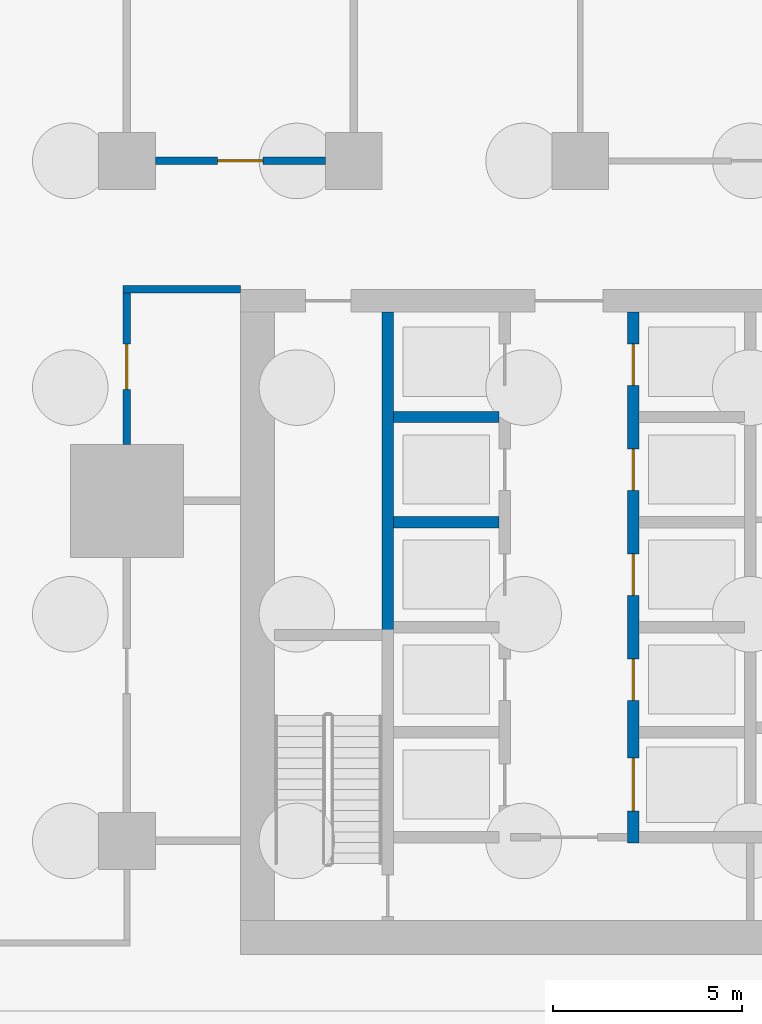
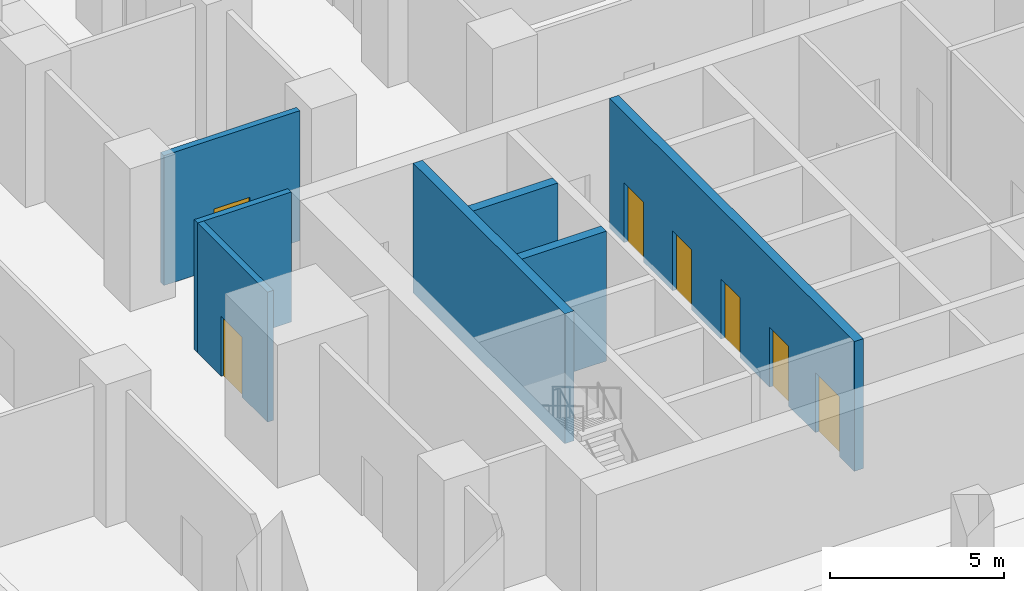
# One storey, part 4 of 12: 7 doors, 7 walls, 7 openings.
"""IFC4 building model written with IfcOpenShell, lengths in metres."""

from ifc_helpers import new_model, si_unit, direction, frame, frame_2d, origin, place, context, subcontext, project, spatial, rectangle, extrude, material, layer, layer_set, type_object, element, fill, save


model = new_model("IFC4")

# Units and contexts
model_context = context("Model", 3, precision=1e-05, world=origin(), true_north=direction((0.0, 1.0)))
body_context = subcontext(model_context, "Body", "Model", "MODEL_VIEW")
ifc_project = project(units=[si_unit("LENGTHUNIT", "METRE"), si_unit("AREAUNIT", "SQUARE_METRE"), si_unit("VOLUMEUNIT", "CUBIC_METRE"), si_unit("PLANEANGLEUNIT", "RADIAN"), si_unit("MASSUNIT", "GRAM", prefix="KILO")], contexts=[model_context])

# Site, building, storey
site_placement = place(None, origin())
site = spatial("IfcSite", under=ifc_project, at=site_placement, CompositionType="ELEMENT")
building_placement = place(site_placement, origin())
building = spatial("IfcBuilding", under=site, at=building_placement, Name="Finial Court Residences", CompositionType="ELEMENT")
storey_placement = place(building_placement, frame((0.0, 0.0, -5.0)))
storey = spatial("IfcBuildingStorey", under=building, at=storey_placement, Name="B1", CompositionType="ELEMENT", Elevation=-5.0)

# Walls
ifc_material_1 = material(Name="Concrete C80/95", Category="concrete")
ifc_layer_1 = layer(ifc_material_1, 0.300048828125)
ifc_layer_set_1 = layer_set([ifc_layer_1], Name="Lift shaft and stair wall 300 Concrete C80/95")
wall_type_1 = type_object("IfcWallType", Name="Lift shaft and stair wall 300 Concrete C80/95", PredefinedType="SHEAR", material=ifc_layer_set_1)
for number, where, z_axis, x_axis, name in (
    (1, (-9.449951171875, -14.06005859375, 0.0), (0.0, 0.0, 1.0), (1.0, 0.0, 0.0), "Core wall B1-15"),
    (2, (-9.449951171875, -11.280029296875, 0.0), (0.0, 0.0, 1.0), (1.0, 0.0, 0.0), "Core wall B1-18"),
):
    element("IfcWall", number, at=place(storey_placement, frame(where, z_axis=z_axis, x_axis=x_axis)), inside=storey, type_object=wall_type_1, Name=name, PredefinedType="SHEAR", context=body_context, shape_type="SweptSolid", body=[
        extrude(rectangle(XDim=2.800048828125, YDim=0.300048828125, at=frame_2d((1.39990234375, 0.0))), origin(), (0.0, 0.0, 1.0), 4.550048828125),
    ])
wall_1_placement = place(storey_placement, frame((-9.60009765625, -17.199951171875, 0.0), z_axis=(0.0, 0.0, 1.0), x_axis=(0.0, 1.0, 0.0)))
element("IfcWall", 3, at=wall_1_placement, inside=storey, type_object=wall_type_1, Name="Core wall B1-22", PredefinedType="SHEAR", context=body_context, shape_type="SweptSolid", body=[
    extrude(rectangle(XDim=8.699951171875, YDim=0.300048828125, at=frame_2d((4.35009765625, 0.0))), origin(), (0.0, 0.0, 1.0), 4.550048828125),
])

# Wall, openings, doors
wall_2_placement = place(storey_placement, frame((-3.10009765625, -22.550048828125, 0.0), z_axis=(0.0, 0.0, 1.0), x_axis=(0.0, 1.0, 0.0)))
wall_2 = element("IfcWall", 4, at=wall_2_placement, inside=storey, type_object=wall_type_1, Name="Core wall B1-24", PredefinedType="SHEAR", context=body_context, shape_type="SweptSolid", body=[
    extrude(rectangle(XDim=14.050048828125, YDim=0.300048828125, at=frame_2d((7.02490234375, 0.0))), origin(), (0.0, 0.0, 1.0), 4.550048828125),
])
opening_1_placement = place(wall_2_placement, frame((12.110107421875, 0.0, 0.0)))
opening_1 = element("IfcOpeningElement", 5, at=opening_1_placement, cuts=wall_2, Name="Opening B1-LD08", PredefinedType="OPENING", context=body_context, shape_type="SweptSolid", body=[
    extrude(rectangle(XDim=1.10009765625, YDim=2.10009765625, at=frame_2d((0.550048828125, 1.050048828125))), frame((0.0, 0.159912109375, 0.0), z_axis=(0.0, -1.0, 0.0), x_axis=(1.0, 0.0, 0.0)), (0.0, 0.0, 1.0), 0.320068359375),
])
opening_2_placement = place(wall_2_placement, frame((3.77001953125, 0.0, 0.0)))
opening_2 = element("IfcOpeningElement", 6, at=opening_2_placement, cuts=wall_2, Name="Opening B1-LD09", PredefinedType="OPENING", context=body_context, shape_type="SweptSolid", body=[
    extrude(rectangle(XDim=1.10009765625, YDim=2.10009765625, at=frame_2d((0.550048828125, 1.050048828125))), frame((0.0, 0.159912109375, 0.0), z_axis=(0.0, -1.0, 0.0), x_axis=(1.0, 0.0, 0.0)), (0.0, 0.0, 1.0), 0.320068359375),
])
opening_3_placement = place(wall_2_placement, frame((6.550048828125, 0.0, 0.0)))
opening_3 = element("IfcOpeningElement", 7, at=opening_3_placement, cuts=wall_2, Name="Opening B1-LD10", PredefinedType="OPENING", context=body_context, shape_type="SweptSolid", body=[
    extrude(rectangle(XDim=1.10009765625, YDim=2.10009765625, at=frame_2d((0.550048828125, 1.050048828125))), frame((0.0, 0.159912109375, 0.0), z_axis=(0.0, -1.0, 0.0), x_axis=(1.0, 0.0, 0.0)), (0.0, 0.0, 1.0), 0.320068359375),
])
opening_4_placement = place(wall_2_placement, frame((9.330078125, 0.0, 0.0)))
opening_4 = element("IfcOpeningElement", 8, at=opening_4_placement, cuts=wall_2, Name="Opening B1-LD11", PredefinedType="OPENING", context=body_context, shape_type="SweptSolid", body=[
    extrude(rectangle(XDim=1.10009765625, YDim=2.10009765625, at=frame_2d((0.550048828125, 1.050048828125))), frame((0.0, 0.159912109375, 0.0), z_axis=(0.0, -1.0, 0.0), x_axis=(1.0, 0.0, 0.0)), (0.0, 0.0, 1.0), 0.320068359375),
])
opening_5_placement = place(wall_2_placement, frame((0.840087890625, 0.0, 0.0)))
opening_5 = element("IfcOpeningElement", 9, at=opening_5_placement, cuts=wall_2, Name="Opening B1-LD12", PredefinedType="OPENING", context=body_context, shape_type="SweptSolid", body=[
    extrude(rectangle(XDim=1.39990234375, YDim=2.10009765625, at=frame_2d((0.699951171875, 1.050048828125))), frame((0.0, 0.159912109375, 0.0), z_axis=(0.0, -1.0, 0.0), x_axis=(1.0, 0.0, 0.0)), (0.0, 0.0, 1.0), 0.320068359375),
])
ifc_material_2 = material(Name="Stainless steel lift door", Category="steel")
door_type_1 = type_object("IfcDoorType", Name="Lift landing door 1100 x 2100 EI 90", OperationType="DOUBLE_DOOR_SLIDING", PredefinedType="DOOR", material=ifc_material_2)
door_1_placement = place(opening_1_placement, origin())
door_1 = element("IfcDoor", 10, at=door_1_placement, inside=storey, type_object=door_type_1, Name="Lift landing door LR6 B1", OperationType="DOUBLE_DOOR_SLIDING", OverallHeight=2.10009765625, OverallWidth=1.10009765625, PredefinedType="DOOR", context=body_context, shape_type="SweptSolid", body=[
    extrude(rectangle(XDim=1.10009765625, YDim=2.10009765625, at=frame_2d((0.550048828125, 1.050048828125))), frame((0.0, 0.02490234375, 0.0), z_axis=(0.0, -1.0, 0.0), x_axis=(1.0, 0.0, 0.0)), (0.0, 0.0, 1.0), 0.050048828125),
])
fill(opening_1, door_1)
door_2_placement = place(opening_2_placement, origin())
door_2 = element("IfcDoor", 11, at=door_2_placement, inside=storey, type_object=door_type_1, Name="Lift landing door SH1 B1", OperationType="DOUBLE_DOOR_SLIDING", OverallHeight=2.10009765625, OverallWidth=1.10009765625, PredefinedType="DOOR", context=body_context, shape_type="SweptSolid", body=[
    extrude(rectangle(XDim=1.10009765625, YDim=2.10009765625, at=frame_2d((0.550048828125, 1.050048828125))), frame((0.0, 0.02490234375, 0.0), z_axis=(0.0, -1.0, 0.0), x_axis=(1.0, 0.0, 0.0)), (0.0, 0.0, 1.0), 0.050048828125),
])
fill(opening_2, door_2)
door_3_placement = place(opening_3_placement, origin())
door_3 = element("IfcDoor", 12, at=door_3_placement, inside=storey, type_object=door_type_1, Name="Lift landing door SH2 B1", OperationType="DOUBLE_DOOR_SLIDING", OverallHeight=2.10009765625, OverallWidth=1.10009765625, PredefinedType="DOOR", context=body_context, shape_type="SweptSolid", body=[
    extrude(rectangle(XDim=1.10009765625, YDim=2.10009765625, at=frame_2d((0.550048828125, 1.050048828125))), frame((0.0, 0.02490234375, 0.0), z_axis=(0.0, -1.0, 0.0), x_axis=(1.0, 0.0, 0.0)), (0.0, 0.0, 1.0), 0.050048828125),
])
fill(opening_3, door_3)
door_4_placement = place(opening_4_placement, origin())
door_4 = element("IfcDoor", 13, at=door_4_placement, inside=storey, type_object=door_type_1, Name="Lift landing door SH3 B1", OperationType="DOUBLE_DOOR_SLIDING", OverallHeight=2.10009765625, OverallWidth=1.10009765625, PredefinedType="DOOR", context=body_context, shape_type="SweptSolid", body=[
    extrude(rectangle(XDim=1.10009765625, YDim=2.10009765625, at=frame_2d((0.550048828125, 1.050048828125))), frame((0.0, 0.02490234375, 0.0), z_axis=(0.0, -1.0, 0.0), x_axis=(1.0, 0.0, 0.0)), (0.0, 0.0, 1.0), 0.050048828125),
])
fill(opening_4, door_4)
door_type_2 = type_object("IfcDoorType", Name="Lift landing door 1400 x 2100 EI 90", OperationType="DOUBLE_DOOR_SLIDING", PredefinedType="DOOR", material=ifc_material_2)
door_5_placement = place(opening_5_placement, origin())
door_5 = element("IfcDoor", 14, at=door_5_placement, inside=storey, type_object=door_type_2, Name="Lift landing door SV1 B1", OperationType="DOUBLE_DOOR_SLIDING", OverallHeight=2.10009765625, OverallWidth=1.39990234375, PredefinedType="DOOR", context=body_context, shape_type="SweptSolid", body=[
    extrude(rectangle(XDim=1.39990234375, YDim=2.10009765625, at=frame_2d((0.699951171875, 1.050048828125))), frame((0.0, 0.02490234375, 0.0), z_axis=(0.0, -1.0, 0.0), x_axis=(1.0, 0.0, 0.0)), (0.0, 0.0, 1.0), 0.050048828125),
])
fill(opening_5, door_5)

# Wall
ifc_material_3 = material(Name="Concrete C32/40", Category="concrete")
ifc_layer_2 = layer(ifc_material_3, 0.199951171875)
ifc_layer_set_2 = layer_set([ifc_layer_2], Name="Plant room wall 200 Concrete C32/40")
wall_type_2 = type_object("IfcWallType", Name="Plant room wall 200 Concrete C32/40", PredefinedType="SOLIDWALL", material=ifc_layer_set_2)
wall_3_placement = place(storey_placement, frame((-16.60009765625, -7.89990234375, 0.0), z_axis=(0.0, 0.0, 1.0), x_axis=(1.0, 0.0, 0.0)))
element("IfcWall", 15, at=wall_3_placement, inside=storey, type_object=wall_type_2, Name="Plant room wall B1-V009", PredefinedType="SOLIDWALL", context=body_context, shape_type="SweptSolid", body=[
    extrude(rectangle(XDim=3.10009765625, YDim=0.199951171875, at=frame_2d((1.550048828125, 0.0))), origin(), (0.0, 0.0, 1.0), 4.550048828125),
])

# Wall, opening, door
wall_4_placement = place(storey_placement, frame((-11.25, -4.5, 0.0), z_axis=(0.0, 0.0, 1.0), x_axis=(-1.0, 0.0, 0.0)))
wall_4 = element("IfcWall", 16, at=wall_4_placement, inside=storey, type_object=wall_type_2, Name="Plant room wall B1-V012", PredefinedType="SOLIDWALL", context=body_context, shape_type="SweptSolid", body=[
    extrude(rectangle(XDim=4.5, YDim=0.199951171875, at=frame_2d((2.25, 0.0))), origin(), (0.0, 0.0, 1.0), 4.550048828125),
])
opening_6_placement = place(wall_4_placement, frame((1.64990234375, 0.0, 0.0)))
opening_6 = element("IfcOpeningElement", 17, at=opening_6_placement, cuts=wall_4, Name="Opening B1-V25", PredefinedType="OPENING", context=body_context, shape_type="SweptSolid", body=[
    extrude(rectangle(XDim=1.199951171875, YDim=2.10009765625, at=frame_2d((0.60009765625, 1.050048828125))), frame((0.0, 0.10986328125, 0.0), z_axis=(0.0, -1.0, 0.0), x_axis=(1.0, 0.0, 0.0)), (0.0, 0.0, 1.0), 0.219970703125),
])
ifc_material_4 = material(Name="Steel fire door", Category="steel")
door_type_3 = type_object("IfcDoorType", Name="Plant room door 1200 x 2100 EI 90", OperationType="NOTDEFINED", PredefinedType="DOOR", material=ifc_material_4)
door_6_placement = place(opening_6_placement, origin())
door_6 = element("IfcDoor", 18, at=door_6_placement, inside=storey, type_object=door_type_3, Name="Plant room door B1-V25", OperationType="SINGLE_SWING_RIGHT", OverallHeight=2.10009765625, OverallWidth=1.199951171875, PredefinedType="DOOR", context=body_context, shape_type="SweptSolid", body=[
    extrude(rectangle(XDim=1.199951171875, YDim=2.10009765625, at=frame_2d((0.60009765625, 1.050048828125))), frame((0.0, 0.02490234375, 0.0), z_axis=(0.0, -1.0, 0.0), x_axis=(1.0, 0.0, 0.0)), (0.0, 0.0, 1.0), 0.050048828125),
])
fill(opening_6, door_6)

wall_5_placement = place(storey_placement, frame((-16.5, -12.0, 0.0), z_axis=(0.0, 0.0, 1.0), x_axis=(0.0, 1.0, 0.0)))
wall_5 = element("IfcWall", 19, at=wall_5_placement, inside=storey, type_object=wall_type_2, Name="Plant room wall B1-V056", PredefinedType="SOLIDWALL", context=body_context, shape_type="SweptSolid", body=[
    extrude(rectangle(XDim=4.0, YDim=0.199951171875, at=frame_2d((2.0, 0.0))), origin(), (0.0, 0.0, 1.0), 4.550048828125),
])
opening_7_placement = place(wall_5_placement, frame((1.449951171875, 0.0, 0.0)))
opening_7 = element("IfcOpeningElement", 20, at=opening_7_placement, cuts=wall_5, Name="Opening B1-V29", PredefinedType="OPENING", context=body_context, shape_type="SweptSolid", body=[
    extrude(rectangle(XDim=1.199951171875, YDim=2.10009765625, at=frame_2d((0.60009765625, 1.050048828125))), frame((0.0, 0.10986328125, 0.0), z_axis=(0.0, -1.0, 0.0), x_axis=(1.0, 0.0, 0.0)), (0.0, 0.0, 1.0), 0.219970703125),
])
door_7_placement = place(opening_7_placement, origin())
door_7 = element("IfcDoor", 21, at=door_7_placement, inside=storey, type_object=door_type_3, Name="Plant room door B1-V29", OperationType="SINGLE_SWING_LEFT", OverallHeight=2.10009765625, OverallWidth=1.199951171875, PredefinedType="DOOR", context=body_context, shape_type="SweptSolid", body=[
    extrude(rectangle(XDim=1.199951171875, YDim=2.10009765625, at=frame_2d((0.60009765625, 1.050048828125))), frame((0.0, 0.02490234375, 0.0), z_axis=(0.0, -1.0, 0.0), x_axis=(1.0, 0.0, 0.0)), (0.0, 0.0, 1.0), 0.050048828125),
])
fill(opening_7, door_7)

save(model, "model.ifc")
